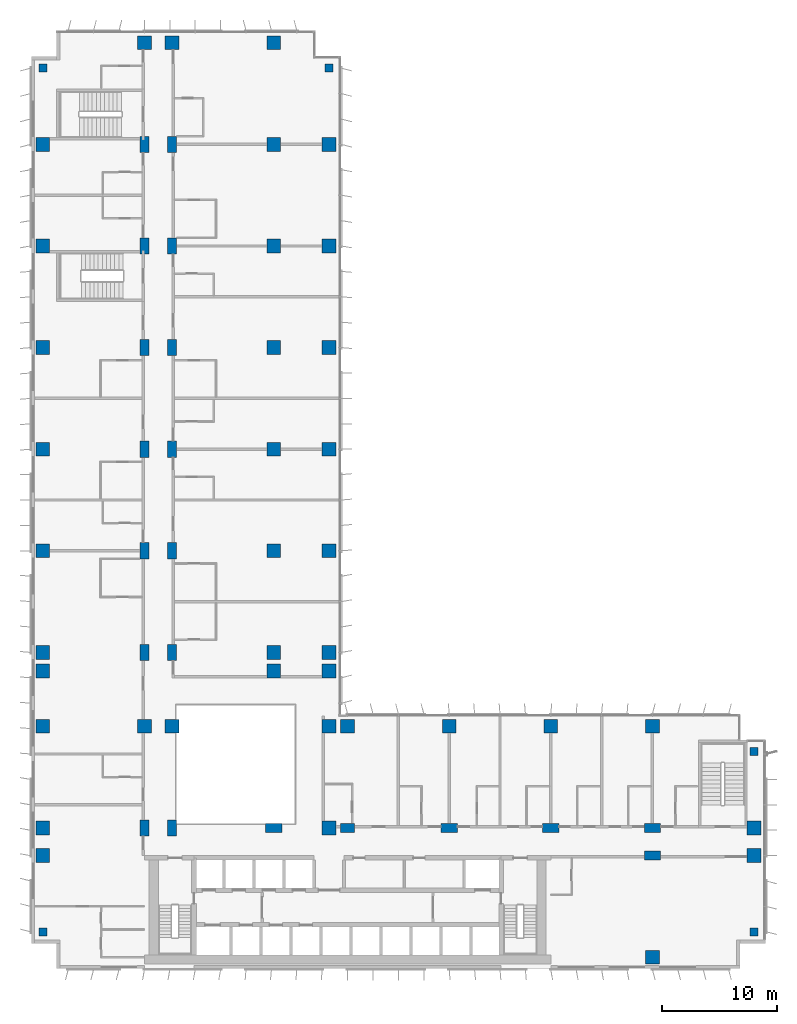
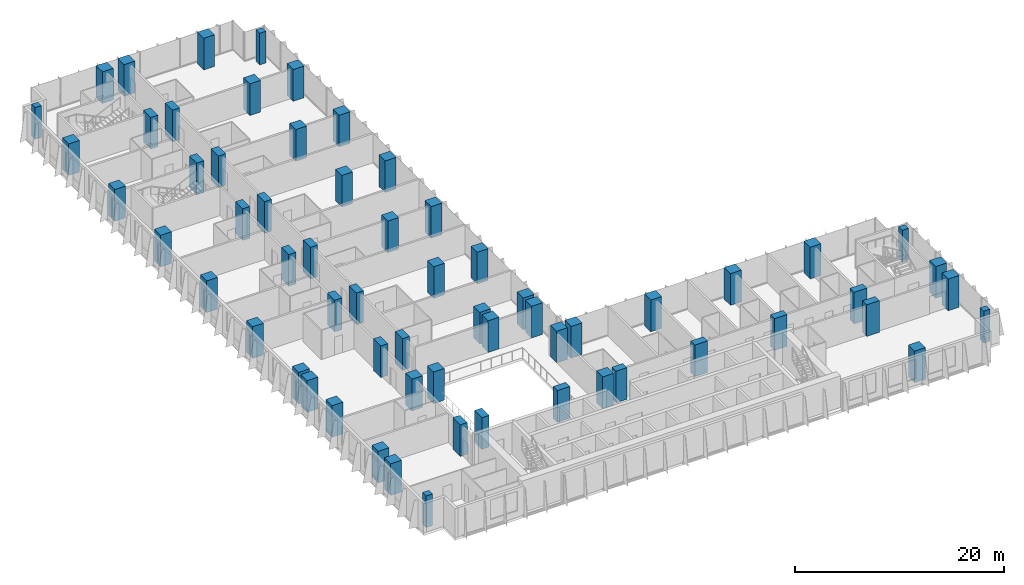
# One storey, part 1 of 22: 63 columns.
"""IFC4 building model written with IfcOpenShell, lengths in metres."""

import ifcopenshell
import ifcopenshell.guid

model = None  # the IFC model being written
_history = None  # IfcOwnerHistory: only IFC2X3 demands one
_inside = {}  # id of a spatial element -> (the spatial element, [elements in it])
_under = {}  # id of a project, library or spatial element -> (it, [spatial elements below it])
_declared = {}  # id of a project -> (the project, [libraries it declares])
_typed = {}  # id of a type object -> (the type object, [elements of that type])
_made_of = {}  # id of a material, layer set ... -> (it, [elements and type objects made of it])


def new_model(schema):
    """Start an empty IFC model of exactly this schema.

    Asked for "IFC4X3", IfcOpenShell would pick the latest addendum, in which some entities
    have other attributes; the version numbers below select the first issue.
    IFC2X3 requires an IfcOwnerHistory on every rooted entity: one is made here for all.
    """
    global model, _history
    if schema == "IFC4X3":
        model = ifcopenshell.file(schema_version=(4, 3, 0, 0))
    else:
        model = ifcopenshell.file(schema=schema)
    _inside.clear()
    _under.clear()
    _declared.clear()
    _typed.clear()
    _made_of.clear()
    _history = None
    if model.schema == "IFC2X3":
        org = make("IfcOrganization", Name="unknown")
        user = make(
            "IfcPersonAndOrganization",
            ThePerson=make("IfcPerson", FamilyName="unknown"),
            TheOrganization=org,
        )
        app = make(
            "IfcApplication",
            ApplicationDeveloper=org,
            Version="unknown",
            ApplicationFullName="unknown",
            ApplicationIdentifier="unknown",
        )
        _history = make(
            "IfcOwnerHistory",
            OwningUser=user,
            OwningApplication=app,
            ChangeAction="ADDED",
            CreationDate=0,
        )
    return model


def make(cls, **values):
    """One entity of the class cls with the attributes given. An attribute that is None is left unset."""
    return model.create_entity(
        cls, **{name: value for name, value in values.items() if value is not None}
    )


def rooted(cls, **values):
    """An entity with a GlobalId (a new one), such as an element, a storey or a relation."""
    return make(cls, GlobalId=ifcopenshell.guid.new(), OwnerHistory=_history, **values)


def si_unit(unit_type, name, prefix=None):
    """IfcSIUnit, for example si_unit("LENGTHUNIT", "METRE", prefix="MILLI")."""
    return make("IfcSIUnit", UnitType=unit_type, Prefix=prefix, Name=name)


def assignment(units):
    """IfcUnitAssignment: the units of a project."""
    return None if units is None else make("IfcUnitAssignment", Units=units)


def point(xyz):
    """IfcCartesianPoint."""
    return None if xyz is None else make("IfcCartesianPoint", Coordinates=xyz)


def direction(xyz):
    """IfcDirection."""
    return None if xyz is None else make("IfcDirection", DirectionRatios=xyz)


def frame(location, z_axis=None, x_axis=None):
    """IfcAxis2Placement3D, a coordinate frame: its origin and axes. An axis left out is left unset."""
    return make(
        "IfcAxis2Placement3D",
        Location=point(location),
        Axis=direction(z_axis),
        RefDirection=direction(x_axis),
    )


def frame_2d(location, x_axis=None):
    """IfcAxis2Placement2D, a coordinate frame in the plane: its origin and x axis."""
    return make(
        "IfcAxis2Placement2D", Location=point(location), RefDirection=direction(x_axis)
    )


def origin():
    """The frame at (0, 0, 0) with its axes left unset."""
    return frame((0.0, 0.0, 0.0))


def origin_2d():
    """The frame at (0, 0) in the plane with its x axis left unset."""
    return frame_2d((0.0, 0.0))


def place(relative_to, where):
    """IfcLocalPlacement: puts the frame where relative to a parent placement (None: the world)."""
    return make(
        "IfcLocalPlacement", PlacementRelTo=relative_to, RelativePlacement=where
    )


def context(
    kind, dimensions, precision=None, world=None, true_north=None, identifier=None
):
    """IfcGeometricRepresentationContext, for example the 3D "Model" context."""
    return make(
        "IfcGeometricRepresentationContext",
        ContextIdentifier=identifier,
        ContextType=kind,
        CoordinateSpaceDimension=dimensions,
        Precision=precision,
        WorldCoordinateSystem=world,
        TrueNorth=true_north,
    )


def subcontext(parent, identifier, kind, view, scale=None):
    """IfcGeometricRepresentationSubContext, for example "Body" below "Model"."""
    return make(
        "IfcGeometricRepresentationSubContext",
        ContextIdentifier=identifier,
        ContextType=kind,
        ParentContext=parent,
        TargetScale=scale,
        TargetView=view,
    )


def project(units=None, contexts=None):
    """IfcProject with its units and contexts."""
    return rooted(
        "IfcProject",
        Name="project",
        RepresentationContexts=contexts,
        UnitsInContext=assignment(units),
    )


def spatial(cls, under=None, at=None, **own):
    """A site, building, storey or space (cls), placed at a placement, below another one or the project."""
    s = rooted(cls, ObjectPlacement=at, **own)
    if under is not None:
        _under.setdefault(under.id(), (under, []))[1].append(s)
    return s


def profile(cls, at=None, kind="AREA", **sizes):
    """A parametric profile (cls). Its sizes go by their IFC names, for example OverallWidth=200.0."""
    return make(cls, ProfileType=kind, Position=at, **sizes)


def rectangle(**sizes):
    """IfcRectangleProfileDef."""
    return profile("IfcRectangleProfileDef", **sizes)


def extrude(swept, where, along, depth):
    """IfcExtrudedAreaSolid: the profile swept, set in the frame where, extruded along a direction by depth."""
    return make(
        "IfcExtrudedAreaSolid",
        SweptArea=swept,
        Position=where,
        ExtrudedDirection=direction(along),
        Depth=depth,
    )


def shape(context_of_items, identifier, shape_type, items):
    """IfcShapeRepresentation: the items that make up one representation, for example the "Body"."""
    return make(
        "IfcShapeRepresentation",
        ContextOfItems=context_of_items,
        RepresentationIdentifier=identifier,
        RepresentationType=shape_type,
        Items=items,
    )


def material(Name=None, Category=None):
    """IfcMaterial."""
    return make("IfcMaterial", Name=Name, Category=Category)


def material_profile(
    of_material, cross_section, Name=None, Category=None, Priority=None
):
    """IfcMaterialProfile: a cross section and its material."""
    return make(
        "IfcMaterialProfile",
        Name=Name,
        Material=of_material,
        Profile=cross_section,
        Priority=Priority,
        Category=Category,
    )


def profile_set(profiles, Name=None, composite=None):
    """IfcMaterialProfileSet."""
    return make(
        "IfcMaterialProfileSet",
        Name=Name,
        MaterialProfiles=profiles,
        CompositeProfile=composite,
    )


def made_of(thing, what):
    """Note that an element or type object is made of a material, layer set ...; save() writes the relation."""
    if what is not None:
        _made_of.setdefault(what.id(), (what, []))[1].append(thing)
    return thing


def type_object(cls, material=None, **own):
    """A type object (cls), such as IfcWallType, which elements share."""
    return made_of(rooted(cls, **own), material)


def element(
    cls,
    number,
    at=None,
    inside=None,
    cuts=None,
    type_object=None,
    material=None,
    context=None,
    identifier="Body",
    shape_type=None,
    held_by="IfcProductDefinitionShape",
    body=None,
    shapes=None,
    **own,
):
    """One element of the class cls, such as IfcWall. Its Tag is "e" and its number.

    at: its placement. inside: the storey or other place that contains it. cuts: it is an
    opening in that element (IfcRelVoidsElement). A single representation is given by context,
    identifier, shape_type and body (its items); several are given by shapes. held_by: the class
    of the entity that holds the representations. save() writes the other relations.
    """
    e = rooted(cls, Tag="e%d" % number, ObjectPlacement=at, **own)
    if body is not None:
        shapes = [shape(context, identifier, shape_type, body)]
    if shapes is not None:
        e.Representation = make(held_by, Representations=shapes)
    if inside is not None:
        _inside.setdefault(inside.id(), (inside, []))[1].append(e)
    if cuts is not None:
        rooted(
            "IfcRelVoidsElement", RelatingBuildingElement=cuts, RelatedOpeningElement=e
        )
    if type_object is not None:
        _typed.setdefault(type_object.id(), (type_object, []))[1].append(e)
    return made_of(e, material)


def aggregate(whole, parts):
    """IfcRelAggregates: a whole, such as a stair, and the parts it consists of."""
    return rooted("IfcRelAggregates", RelatingObject=whole, RelatedObjects=parts)


def save(model, path):
    """Write the relations noted so far, then the file.

    IfcRelAggregates (storeys below a building ...), IfcRelContainedInSpatialStructure (elements
    in a storey), IfcRelDefinesByType, IfcRelAssociatesMaterial and IfcRelDeclares: one each for
    every whole, place, type object, material and project.
    """
    for whole, parts in _under.values():
        aggregate(whole, parts)
    for where, things in _inside.values():
        rooted(
            "IfcRelContainedInSpatialStructure",
            RelatedElements=things,
            RelatingStructure=where,
        )
    for kind, things in _typed.values():
        rooted("IfcRelDefinesByType", RelatedObjects=things, RelatingType=kind)
    for what, things in _made_of.values():
        rooted("IfcRelAssociatesMaterial", RelatedObjects=things, RelatingMaterial=what)
    for by, libraries in _declared.values():
        rooted("IfcRelDeclares", RelatingContext=by, RelatedDefinitions=libraries)
    model.write(path)


model = new_model("IFC4")

# Units and contexts
model_context = context("Model", 3, precision=1e-05, world=origin(), true_north=direction((0.0, 1.0)))
body_context = subcontext(model_context, "Body", "Model", "MODEL_VIEW")
ifc_project = project(units=[si_unit("LENGTHUNIT", "METRE"), si_unit("AREAUNIT", "SQUARE_METRE"), si_unit("VOLUMEUNIT", "CUBIC_METRE"), si_unit("PLANEANGLEUNIT", "RADIAN"), si_unit("MASSUNIT", "GRAM", prefix="KILO")], contexts=[model_context])

# Site, building, storey
site_placement = place(None, origin())
site = spatial("IfcSite", under=ifc_project, at=site_placement, CompositionType="ELEMENT")
building_placement = place(site_placement, origin())
building = spatial("IfcBuilding", under=site, at=building_placement, Name="Kemantara Hotel Tower", CompositionType="ELEMENT")
storey_placement = place(building_placement, frame((0.0, 0.0, 107.39990234375)))
storey = spatial("IfcBuildingStorey", under=building, at=storey_placement, Name="L25", CompositionType="ELEMENT", Elevation=107.39990234375)

# Columns
ifc_material = material(Name="Concrete fc 70 MPa", Category="concrete")
ifc_material_profile_1 = material_profile(ifc_material, rectangle(XDim=1.199951171875, YDim=1.199951171875, at=origin_2d()), Name="RC 1200X1200")
ifc_profile_set_1 = profile_set([ifc_material_profile_1], Name="Concrete fc 70 MPa")
column_type_1 = type_object("IfcColumnType", Name="RC COLUMN 1200X1200 FC70", PredefinedType="COLUMN", material=ifc_profile_set_1)
for number, where, z_axis, x_axis, name in (
    (1, (1.0, 9.800048828125, 0.0), (0.0, 0.0, 1.0), (1.0, 0.0, 0.0), "COLUMN 1/B L25"),
    (2, (1.0, 12.199951171875, 0.0), (0.0, 0.0, 1.0), (1.0, 0.0, 0.0), "COLUMN 1/BA L25"),
    (3, (1.0, 21.0, 0.0), (0.0, 0.0, 1.0), (1.0, 0.0, 0.0), "COLUMN 1/C L25"),
    (4, (1.0, 25.800048828125, 0.0), (0.0, 0.0, 1.0), (1.0, 0.0, 0.0), "COLUMN 1/CA L25"),
    (5, (1.0, 27.39990234375, 0.0), (0.0, 0.0, 1.0), (1.0, 0.0, 0.0), "COLUMN 1/D L25"),
    (6, (1.0, 36.199951171875, 0.0), (0.0, 0.0, 1.0), (1.0, 0.0, 0.0), "COLUMN 1/E L25"),
    (7, (1.0, 45.0, 0.0), (0.0, 0.0, 1.0), (1.0, 0.0, 0.0), "COLUMN 1/F L25"),
    (8, (1.0, 53.800048828125, 0.0), (0.0, 0.0, 1.0), (1.0, 0.0, 0.0), "COLUMN 1/G L25"),
    (9, (1.0, 62.60009765625, 0.0), (0.0, 0.0, 1.0), (1.0, 0.0, 0.0), "COLUMN 1/H L25"),
    (10, (1.0, 71.39990234375, 0.0), (0.0, 0.0, 1.0), (1.0, 0.0, 0.0), "COLUMN 1/J L25"),
    (11, (9.800048828125, 21.0, 0.0), (0.0, 0.0, 1.0), (1.0, 0.0, 0.0), "COLUMN 2/C L25"),
    (12, (9.800048828125, 80.199951171875, 0.0), (0.0, 0.0, 1.0), (1.0, 0.0, 0.0), "COLUMN 2/K L25"),
    (13, (12.199951171875, 21.0, 0.0), (0.0, 0.0, 1.0), (1.0, 0.0, 0.0), "COLUMN 2A/C L25"),
    (14, (12.199951171875, 80.199951171875, 0.0), (0.0, 0.0, 1.0), (1.0, 0.0, 0.0), "COLUMN 2A/K L25"),
    (15, (21.0, 25.800048828125, 0.0), (0.0, 0.0, 1.0), (1.0, 0.0, 0.0), "COLUMN 3/CA L25"),
    (16, (21.0, 27.39990234375, 0.0), (0.0, 0.0, 1.0), (1.0, 0.0, 0.0), "COLUMN 3/D L25"),
    (17, (21.0, 36.199951171875, 0.0), (0.0, 0.0, 1.0), (1.0, 0.0, 0.0), "COLUMN 3/E L25"),
    (18, (21.0, 45.0, 0.0), (0.0, 0.0, 1.0), (1.0, 0.0, 0.0), "COLUMN 3/F L25"),
    (19, (21.0, 53.800048828125, 0.0), (0.0, 0.0, 1.0), (1.0, 0.0, 0.0), "COLUMN 3/G L25"),
    (20, (21.0, 62.60009765625, 0.0), (0.0, 0.0, 1.0), (1.0, 0.0, 0.0), "COLUMN 3/H L25"),
    (21, (21.0, 71.39990234375, 0.0), (0.0, 0.0, 1.0), (1.0, 0.0, 0.0), "COLUMN 3/J L25"),
    (22, (21.0, 80.199951171875, 0.0), (0.0, 0.0, 1.0), (1.0, 0.0, 0.0), "COLUMN 3/K L25"),
    (23, (25.800048828125, 12.199951171875, 0.0), (0.0, 0.0, 1.0), (1.0, 0.0, 0.0), "COLUMN 3A/BA L25"),
    (24, (25.800048828125, 21.0, 0.0), (0.0, 0.0, 1.0), (1.0, 0.0, 0.0), "COLUMN 3A/C L25"),
    (25, (25.800048828125, 25.800048828125, 0.0), (0.0, 0.0, 1.0), (1.0, 0.0, 0.0), "COLUMN 3A/CA L25"),
    (26, (25.800048828125, 27.39990234375, 0.0), (0.0, 0.0, 1.0), (1.0, 0.0, 0.0), "COLUMN 3A/D L25"),
    (27, (25.800048828125, 36.199951171875, 0.0), (0.0, 0.0, 1.0), (1.0, 0.0, 0.0), "COLUMN 3A/E L25"),
    (28, (25.800048828125, 45.0, 0.0), (0.0, 0.0, 1.0), (1.0, 0.0, 0.0), "COLUMN 3A/F L25"),
    (29, (25.800048828125, 53.800048828125, 0.0), (0.0, 0.0, 1.0), (1.0, 0.0, 0.0), "COLUMN 3A/G L25"),
    (30, (25.800048828125, 62.60009765625, 0.0), (0.0, 0.0, 1.0), (1.0, 0.0, 0.0), "COLUMN 3A/H L25"),
    (31, (25.800048828125, 71.39990234375, 0.0), (0.0, 0.0, 1.0), (1.0, 0.0, 0.0), "COLUMN 3A/J L25"),
    (32, (27.39990234375, 21.0, 0.0), (0.0, 0.0, 1.0), (1.0, 0.0, 0.0), "COLUMN 4/C L25"),
    (33, (36.199951171875, 21.0, 0.0), (0.0, 0.0, 1.0), (1.0, 0.0, 0.0), "COLUMN 5/C L25"),
    (34, (45.0, 21.0, 0.0), (0.0, 0.0, 1.0), (1.0, 0.0, 0.0), "COLUMN 6/C L25"),
    (35, (53.800048828125, 1.0, 0.0), (0.0, 0.0, 1.0), (1.0, 0.0, 0.0), "COLUMN 7/A L25"),
    (36, (53.800048828125, 21.0, 0.0), (0.0, 0.0, 1.0), (1.0, 0.0, 0.0), "COLUMN 7/C L25"),
    (37, (62.60009765625, 9.800048828125, 0.0), (0.0, 0.0, 1.0), (1.0, 0.0, 0.0), "COLUMN 8/B L25"),
    (38, (62.60009765625, 12.199951171875, 0.0), (0.0, 0.0, 1.0), (1.0, 0.0, 0.0), "COLUMN 8/BA L25"),
):
    element("IfcColumn", number, at=place(storey_placement, frame(where, z_axis=z_axis, x_axis=x_axis)), inside=storey, type_object=column_type_1, Name=name, PredefinedType="COLUMN", context=body_context, shape_type="SweptSolid", body=[
        extrude(rectangle(XDim=1.199951171875, YDim=1.199951171875, at=origin_2d()), origin(), (0.0, 0.0, 1.0), 3.7001953125),
    ])
ifc_material_profile_2 = material_profile(ifc_material, rectangle(XDim=1.199951171875, YDim=0.800048828125, at=origin_2d()), Name="RC 1200X800")
ifc_profile_set_2 = profile_set([ifc_material_profile_2], Name="Concrete fc 70 MPa")
column_type_2 = type_object("IfcColumnType", Name="RC COLUMN 1200X800 FC70", PredefinedType="COLUMN", material=ifc_profile_set_2)
column_placement = place(storey_placement, frame((27.39990234375, 12.199951171875, 0.0), z_axis=(0.0, 0.0, 1.0), x_axis=(1.0, 0.0, 0.0)))
element("IfcColumn", 39, at=column_placement, inside=storey, type_object=column_type_2, Name="COLUMN 4/BA L25", PredefinedType="COLUMN", context=body_context, shape_type="SweptSolid", body=[
    extrude(rectangle(XDim=1.199951171875, YDim=0.800048828125, at=origin_2d()), origin(), (0.0, 0.0, 1.0), 3.7001953125),
])
ifc_material_profile_3 = material_profile(ifc_material, rectangle(XDim=1.39990234375, YDim=0.800048828125, at=origin_2d()), Name="RC 1400X800")
ifc_profile_set_3 = profile_set([ifc_material_profile_3], Name="Concrete fc 70 MPa")
column_type_3 = type_object("IfcColumnType", Name="RC COLUMN 1400X800 FC70", PredefinedType="COLUMN", material=ifc_profile_set_3)
for number, where, z_axis, x_axis, name in (
    (40, (9.800048828125, 12.199951171875, 0.0), (0.0, 0.0, 1.0), (0.0, 1.0, 0.0), "COLUMN 2/BA L25"),
    (41, (9.800048828125, 27.39990234375, 0.0), (0.0, 0.0, 1.0), (0.0, 1.0, 0.0), "COLUMN 2/D L25"),
    (42, (9.800048828125, 36.199951171875, 0.0), (0.0, 0.0, 1.0), (0.0, 1.0, 0.0), "COLUMN 2/E L25"),
    (43, (9.800048828125, 45.0, 0.0), (0.0, 0.0, 1.0), (0.0, 1.0, 0.0), "COLUMN 2/F L25"),
    (44, (9.800048828125, 53.800048828125, 0.0), (0.0, 0.0, 1.0), (0.0, 1.0, 0.0), "COLUMN 2/G L25"),
    (45, (9.800048828125, 62.60009765625, 0.0), (0.0, 0.0, 1.0), (0.0, 1.0, 0.0), "COLUMN 2/H L25"),
    (46, (9.800048828125, 71.39990234375, 0.0), (0.0, 0.0, 1.0), (0.0, 1.0, 0.0), "COLUMN 2/J L25"),
    (47, (12.199951171875, 12.199951171875, 0.0), (0.0, 0.0, 1.0), (0.0, 1.0, 0.0), "COLUMN 2A/BA L25"),
    (48, (12.199951171875, 27.39990234375, 0.0), (0.0, 0.0, 1.0), (0.0, 1.0, 0.0), "COLUMN 2A/D L25"),
    (49, (12.199951171875, 36.199951171875, 0.0), (0.0, 0.0, 1.0), (0.0, 1.0, 0.0), "COLUMN 2A/E L25"),
    (50, (12.199951171875, 45.0, 0.0), (0.0, 0.0, 1.0), (0.0, 1.0, 0.0), "COLUMN 2A/F L25"),
    (51, (12.199951171875, 53.800048828125, 0.0), (0.0, 0.0, 1.0), (0.0, 1.0, 0.0), "COLUMN 2A/G L25"),
    (52, (12.199951171875, 62.60009765625, 0.0), (0.0, 0.0, 1.0), (0.0, 1.0, 0.0), "COLUMN 2A/H L25"),
    (53, (12.199951171875, 71.39990234375, 0.0), (0.0, 0.0, 1.0), (0.0, 1.0, 0.0), "COLUMN 2A/J L25"),
    (54, (21.0, 12.199951171875, 0.0), (0.0, 0.0, 1.0), (1.0, 0.0, 0.0), "COLUMN 3/BA L25"),
    (55, (36.199951171875, 12.199951171875, 0.0), (0.0, 0.0, 1.0), (1.0, 0.0, 0.0), "COLUMN 5/BA L25"),
    (56, (45.0, 12.199951171875, 0.0), (0.0, 0.0, 1.0), (1.0, 0.0, 0.0), "COLUMN 6/BA L25"),
    (57, (53.800048828125, 9.800048828125, 0.0), (0.0, 0.0, 1.0), (1.0, 0.0, 0.0), "COLUMN 7/B L25"),
    (58, (53.800048828125, 12.199951171875, 0.0), (0.0, 0.0, 1.0), (1.0, 0.0, 0.0), "COLUMN 7/BA L25"),
):
    element("IfcColumn", number, at=place(storey_placement, frame(where, z_axis=z_axis, x_axis=x_axis)), inside=storey, type_object=column_type_3, Name=name, PredefinedType="COLUMN", context=body_context, shape_type="SweptSolid", body=[
        extrude(rectangle(XDim=1.39990234375, YDim=0.800048828125, at=origin_2d()), origin(), (0.0, 0.0, 1.0), 3.7001953125),
    ])
ifc_material_profile_4 = material_profile(ifc_material, rectangle(XDim=0.699951171875, YDim=0.699951171875, at=origin_2d()), Name="RC 700X700")
ifc_profile_set_4 = profile_set([ifc_material_profile_4], Name="Concrete fc 70 MPa")
column_type_4 = type_object("IfcColumnType", Name="RC COLUMN 700X700 FC70", PredefinedType="COLUMN", material=ifc_profile_set_4)
for number, where, z_axis, x_axis, name in (
    (59, (1.0, 3.199951171875, 0.0), (0.0, 0.0, 1.0), (1.0, 0.0, 0.0), "COLUMN notch corner L25"),
    (60, (1.0, 78.0, 0.0), (0.0, 0.0, 1.0), (1.0, 0.0, 0.0), "COLUMN notch corner L25"),
    (61, (25.800048828125, 78.0, 0.0), (0.0, 0.0, 1.0), (1.0, 0.0, 0.0), "COLUMN notch corner L25"),
    (62, (62.60009765625, 3.199951171875, 0.0), (0.0, 0.0, 1.0), (1.0, 0.0, 0.0), "COLUMN notch corner L25"),
    (63, (62.60009765625, 18.800048828125, 0.0), (0.0, 0.0, 1.0), (1.0, 0.0, 0.0), "COLUMN notch corner L25"),
):
    element("IfcColumn", number, at=place(storey_placement, frame(where, z_axis=z_axis, x_axis=x_axis)), inside=storey, type_object=column_type_4, Name=name, PredefinedType="COLUMN", context=body_context, shape_type="SweptSolid", body=[
        extrude(rectangle(XDim=0.699951171875, YDim=0.699951171875, at=origin_2d()), origin(), (0.0, 0.0, 1.0), 3.7001953125),
    ])

save(model, "model.ifc")
